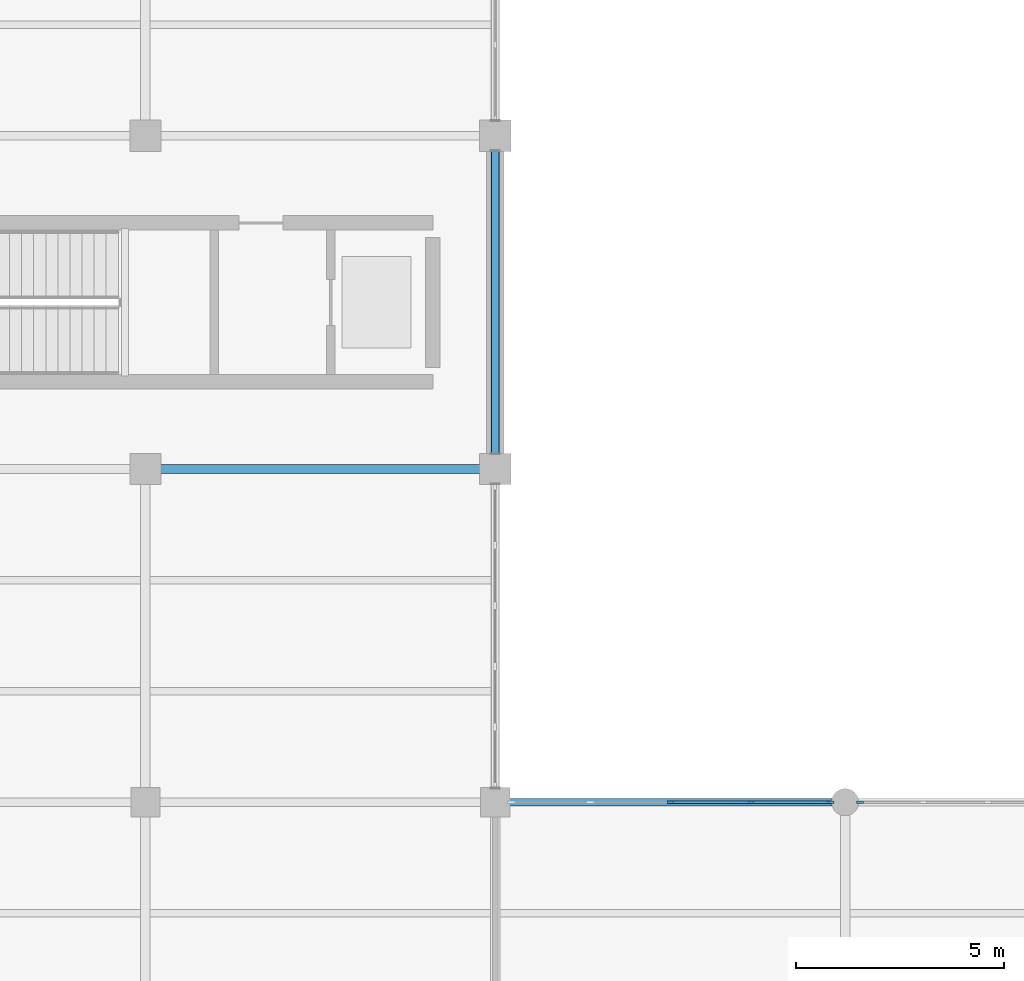
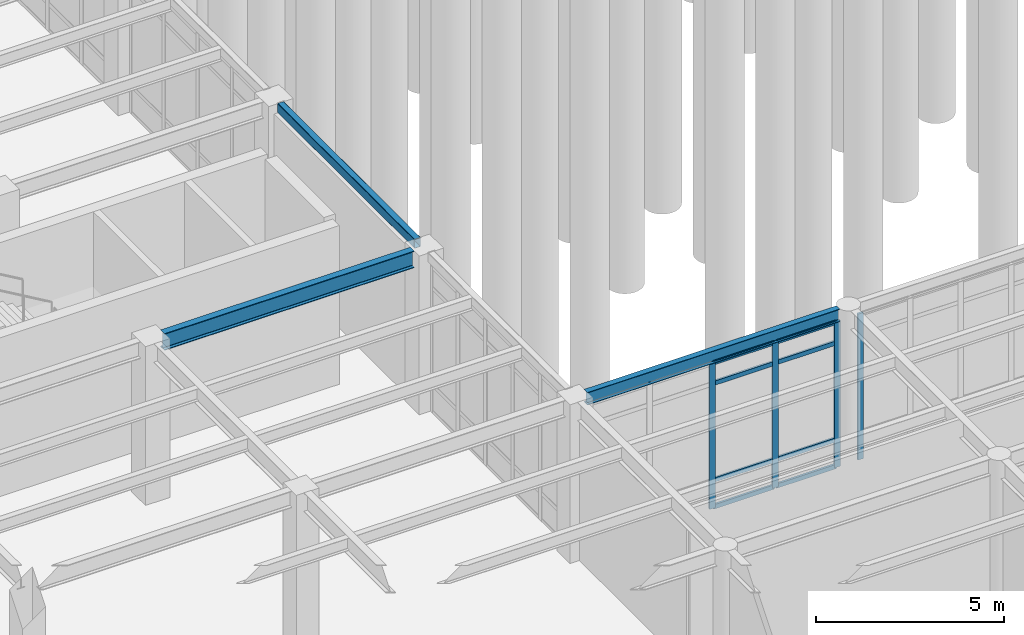
# One storey, part 47 of 138: 12 members, 3 beams, 2 elements without a shape of their own.
"""IFC4 building model written with IfcOpenShell, lengths in metres."""

from ifc_helpers import new_model, si_unit, direction, frame, origin, origin_2d, place, context, subcontext, project, spatial, rectangle, hollow_rectangle, i_section, extrude, material, layer, layer_set, material_profile, profile_set, type_object, element, aggregate, save


model = new_model("IFC4")

# Units and contexts
model_context = context("Model", 3, precision=1e-05, world=origin(), true_north=direction((0.0, 1.0)))
body_context = subcontext(model_context, "Body", "Model", "MODEL_VIEW")
ifc_project = project(units=[si_unit("LENGTHUNIT", "METRE"), si_unit("AREAUNIT", "SQUARE_METRE"), si_unit("VOLUMEUNIT", "CUBIC_METRE"), si_unit("PLANEANGLEUNIT", "RADIAN"), si_unit("MASSUNIT", "GRAM", prefix="KILO")], contexts=[model_context])

# Site, building, storey
site_placement = place(None, origin())
site = spatial("IfcSite", under=ifc_project, at=site_placement, CompositionType="ELEMENT")
building_placement = place(site_placement, origin())
building = spatial("IfcBuilding", under=site, at=building_placement, Name="Kranzveld Transit Interchange", CompositionType="ELEMENT")
storey_placement = place(building_placement, origin())
storey = spatial("IfcBuildingStorey", under=building, at=storey_placement, Name="L00", CompositionType="ELEMENT", Elevation=0.0)

# Curtain wall, member
ifc_material_1 = material(Name="Bronze-anodised thermally broken aluminium", Category="aluminium")
ifc_layer_1 = layer(ifc_material_1, 0.155029296875)
ifc_layer_set_1 = layer_set([ifc_layer_1], Name="Bronze-anodised thermally broken aluminium")
curtain_wall_type_1 = type_object("IfcCurtainWallType", Name="Operations Courtyard Glazed Screen CW-6", PredefinedType="USERDEFINED", material=ifc_layer_set_1)
curtain_wall_1_placement = place(storey_placement, origin())
curtain_wall_1 = element("IfcCurtainWall", 1, at=curtain_wall_1_placement, inside=storey, type_object=curtain_wall_type_1, Name="L00 Curtain Wall 16/J-17/J", ObjectType="CURTAIN WALL", PredefinedType="USERDEFINED")
ifc_material_2 = material(Name="Bronze-anodised thermally broken aluminium", Category="aluminium")
ifc_material_profile_1 = material_profile(ifc_material_2, rectangle(XDim=0.06494140625, YDim=0.1650390625, at=origin_2d()), Name="ALU MULLION 65x165")
ifc_profile_set_1 = profile_set([ifc_material_profile_1], Name="Bronze-anodised thermally broken aluminium")
member_type_1 = type_object("IfcMemberType", Name="Curtain Wall Mullion 65x165 Alu", PredefinedType="MULLION", material=ifc_profile_set_1)
member_1_placement = place(storey_placement, frame((126.357421875, 64.0, 0.0), z_axis=(0.0, 0.0, 1.0), x_axis=(0.0, 1.0, 0.0)))
member_1 = element("IfcMember", 2, at=member_1_placement, type_object=member_type_1, Name="CW-6 mullion 1", PredefinedType="MULLION", context=body_context, shape_type="SweptSolid", body=[
    extrude(rectangle(XDim=0.06494140625, YDim=0.1650390625, at=origin_2d()), origin(), (0.0, 0.0, 1.0), 4.740478515625),
])
aggregate(curtain_wall_1, [member_1])

# Curtain wall, members
ifc_material_3 = material(Name="Bronze-anodised thermally broken aluminium", Category="aluminium")
ifc_layer_2 = layer(ifc_material_3, 0.18505859375)
ifc_layer_set_2 = layer_set([ifc_layer_2], Name="Bronze-anodised thermally broken aluminium")
curtain_wall_type_2 = type_object("IfcCurtainWallType", Name="Control Crown Observation Facade CW-5", PredefinedType="USERDEFINED", material=ifc_layer_set_2)
curtain_wall_2_placement = place(storey_placement, origin())
curtain_wall_2 = element("IfcCurtainWall", 3, at=curtain_wall_2_placement, inside=storey, type_object=curtain_wall_type_2, Name="L00 Curtain Wall 15/J-16/J", ObjectType="CURTAIN WALL", PredefinedType="USERDEFINED")
ifc_material_4 = material(Name="Bronze-anodised thermally broken aluminium", Category="aluminium")
ifc_material_profile_2 = material_profile(ifc_material_4, rectangle(XDim=0.06494140625, YDim=0.179931640625, at=origin_2d()), Name="ALU MULLION 65x180")
ifc_profile_set_2 = profile_set([ifc_material_profile_2], Name="Bronze-anodised thermally broken aluminium")
member_type_2 = type_object("IfcMemberType", Name="Curtain Wall Mullion 65x180 Alu", PredefinedType="MULLION", material=ifc_profile_set_2)
member_2_placement = place(storey_placement, frame((121.8125, 64.0, 0.0), z_axis=(0.0, 0.0, 1.0), x_axis=(0.0, 1.0, 0.0)))
member_2 = element("IfcMember", 4, at=member_2_placement, type_object=member_type_2, Name="CW-5 mullion 3", PredefinedType="MULLION", context=body_context, shape_type="SweptSolid", body=[
    extrude(rectangle(XDim=0.06494140625, YDim=0.179931640625, at=origin_2d()), origin(), (0.0, 0.0, 1.0), 4.740478515625),
])
member_3_placement = place(storey_placement, frame((123.74365234375, 64.0, 0.0), z_axis=(0.0, 0.0, 1.0), x_axis=(0.0, 1.0, 0.0)))
member_3 = element("IfcMember", 5, at=member_3_placement, type_object=member_type_2, Name="CW-5 mullion 4", PredefinedType="MULLION", context=body_context, shape_type="SweptSolid", body=[
    extrude(rectangle(XDim=0.06494140625, YDim=0.179931640625, at=origin_2d()), origin(), (0.0, 0.0, 1.0), 4.740478515625),
])
member_4_placement = place(storey_placement, frame((125.642578125, 64.0, 0.0), z_axis=(0.0, 0.0, 1.0), x_axis=(0.0, 1.0, 0.0)))
member_4 = element("IfcMember", 6, at=member_4_placement, type_object=member_type_2, Name="CW-5 mullion 5", PredefinedType="MULLION", context=body_context, shape_type="SweptSolid", body=[
    extrude(rectangle(XDim=0.06494140625, YDim=0.179931640625, at=origin_2d()), origin(), (0.0, 0.0, 1.0), 4.740478515625),
])
ifc_material_5 = material(Name="Bronze-anodised thermally broken aluminium", Category="aluminium")
ifc_material_profile_3 = material_profile(ifc_material_5, rectangle(XDim=0.06494140625, YDim=0.139892578125, at=origin_2d()), Name="ALU TRANSOM 65x140")
ifc_profile_set_3 = profile_set([ifc_material_profile_3], Name="Bronze-anodised thermally broken aluminium")
member_type_3 = type_object("IfcMemberType", Name="Curtain Wall Transom 65x140 Alu", PredefinedType="USERDEFINED", material=ifc_profile_set_3)
member_5_placement = place(storey_placement, frame((121.844970703125, 64.0, 0.032470703125), z_axis=(1.0, 0.0, 0.0), x_axis=(0.0, 1.0, 0.0)))
member_5 = element("IfcMember", 7, at=member_5_placement, type_object=member_type_3, Name="CW-5 transom 3.1", ObjectType="TRANSOM", PredefinedType="USERDEFINED", context=body_context, shape_type="SweptSolid", body=[
    extrude(rectangle(XDim=0.06494140625, YDim=0.139892578125, at=origin_2d()), origin(), (0.0, 0.0, 1.0), 1.8662109375),
])
member_6_placement = place(storey_placement, frame((121.844970703125, 64.0, 0.89990234375), z_axis=(1.0, 0.0, 0.0), x_axis=(0.0, 1.0, 0.0)))
member_6 = element("IfcMember", 8, at=member_6_placement, type_object=member_type_3, Name="CW-5 transom 3.2", ObjectType="TRANSOM", PredefinedType="USERDEFINED", context=body_context, shape_type="SweptSolid", body=[
    extrude(rectangle(XDim=0.06494140625, YDim=0.139892578125, at=origin_2d()), origin(), (0.0, 0.0, 1.0), 1.8662109375),
])
member_7_placement = place(storey_placement, frame((121.844970703125, 64.0, 4.04052734375), z_axis=(1.0, 0.0, 0.0), x_axis=(0.0, 1.0, 0.0)))
member_7 = element("IfcMember", 9, at=member_7_placement, type_object=member_type_3, Name="CW-5 transom 3.3", ObjectType="TRANSOM", PredefinedType="USERDEFINED", context=body_context, shape_type="SweptSolid", body=[
    extrude(rectangle(XDim=0.06494140625, YDim=0.139892578125, at=origin_2d()), origin(), (0.0, 0.0, 1.0), 1.8662109375),
])
member_8_placement = place(storey_placement, frame((121.844970703125, 64.0, 4.7080078125), z_axis=(1.0, 0.0, 0.0), x_axis=(0.0, 1.0, 0.0)))
member_8 = element("IfcMember", 10, at=member_8_placement, type_object=member_type_3, Name="CW-5 transom 3.4", ObjectType="TRANSOM", PredefinedType="USERDEFINED", context=body_context, shape_type="SweptSolid", body=[
    extrude(rectangle(XDim=0.06494140625, YDim=0.139892578125, at=origin_2d()), origin(), (0.0, 0.0, 1.0), 1.8662109375),
])
member_9_placement = place(storey_placement, frame((123.7763671875, 64.0, 0.032470703125), z_axis=(1.0, 0.0, 0.0), x_axis=(0.0, 1.0, 0.0)))
member_9 = element("IfcMember", 11, at=member_9_placement, type_object=member_type_3, Name="CW-5 transom 4.1", ObjectType="TRANSOM", PredefinedType="USERDEFINED", context=body_context, shape_type="SweptSolid", body=[
    extrude(rectangle(XDim=0.06494140625, YDim=0.139892578125, at=origin_2d()), origin(), (0.0, 0.0, 1.0), 1.833740234375),
])
member_10_placement = place(storey_placement, frame((123.7763671875, 64.0, 0.89990234375), z_axis=(1.0, 0.0, 0.0), x_axis=(0.0, 1.0, 0.0)))
member_10 = element("IfcMember", 12, at=member_10_placement, type_object=member_type_3, Name="CW-5 transom 4.2", ObjectType="TRANSOM", PredefinedType="USERDEFINED", context=body_context, shape_type="SweptSolid", body=[
    extrude(rectangle(XDim=0.06494140625, YDim=0.139892578125, at=origin_2d()), origin(), (0.0, 0.0, 1.0), 1.833740234375),
])
member_11_placement = place(storey_placement, frame((123.7763671875, 64.0, 4.04052734375), z_axis=(1.0, 0.0, 0.0), x_axis=(0.0, 1.0, 0.0)))
member_11 = element("IfcMember", 13, at=member_11_placement, type_object=member_type_3, Name="CW-5 transom 4.3", ObjectType="TRANSOM", PredefinedType="USERDEFINED", context=body_context, shape_type="SweptSolid", body=[
    extrude(rectangle(XDim=0.06494140625, YDim=0.139892578125, at=origin_2d()), origin(), (0.0, 0.0, 1.0), 1.833740234375),
])
member_12_placement = place(storey_placement, frame((123.7763671875, 64.0, 4.7080078125), z_axis=(1.0, 0.0, 0.0), x_axis=(0.0, 1.0, 0.0)))
member_12 = element("IfcMember", 14, at=member_12_placement, type_object=member_type_3, Name="CW-5 transom 4.4", ObjectType="TRANSOM", PredefinedType="USERDEFINED", context=body_context, shape_type="SweptSolid", body=[
    extrude(rectangle(XDim=0.06494140625, YDim=0.139892578125, at=origin_2d()), origin(), (0.0, 0.0, 1.0), 1.833740234375),
])
aggregate(curtain_wall_2, [member_2, member_3, member_4, member_5, member_6, member_7, member_8, member_9, member_10, member_11, member_12])

# Beams
ifc_material_6 = material(Name="Steel S355JR", Category="steel")
ifc_material_profile_4 = material_profile(ifc_material_6, hollow_rectangle(XDim=0.199951171875, YDim=0.300048828125, WallThickness=0.010009765625, InnerFilletRadius=0.014892578125, OuterFilletRadius=0.02490234375, at=origin_2d()), Name="RHS 300x200x10")
ifc_profile_set_4 = profile_set([ifc_material_profile_4], Name="Steel S355JR")
beam_type_1 = type_object("IfcBeamType", Name="Edge Spandrel RHS 300x200x10 S355JR", PredefinedType="SPANDREL", material=ifc_profile_set_4)
beam_1_placement = place(storey_placement, frame((117.60009765625, 72.364990234375, 5.0), z_axis=(0.0, 1.0, 0.0), x_axis=(-1.0, 0.0, 0.0)))
element("IfcBeam", 15, at=beam_1_placement, inside=storey, type_object=beam_type_1, Name="L00 Girder 15/K-L", PredefinedType="SPANDREL", context=body_context, shape_type="SweptSolid", body=[
    extrude(hollow_rectangle(XDim=0.199951171875, YDim=0.300048828125, WallThickness=0.010009765625, InnerFilletRadius=0.014892578125, OuterFilletRadius=0.02490234375, at=origin_2d()), origin(), (0.0, 0.0, 1.0), 7.27001953125),
])
ifc_material_7 = material(Name="Steel S355JR", Category="steel")
ifc_material_profile_5 = material_profile(ifc_material_7, i_section(OverallWidth=0.1787109375, OverallDepth=0.409423828125, WebThickness=0.0087890625, FlangeThickness=0.014404296875, FilletRadius=0.01025390625, at=origin_2d()), Name="UB 406x178x67")
ifc_profile_set_5 = profile_set([ifc_material_profile_5], Name="Steel S355JR")
beam_type_2 = type_object("IfcBeamType", Name="Facade Spandrel UB 406x178x67 S355JR", PredefinedType="SPANDREL", material=ifc_profile_set_5)
beam_2_placement = place(storey_placement, frame((117.93994140625, 64.0, 4.9453125), z_axis=(1.0, 0.0, 0.0), x_axis=(0.0, 1.0, 0.0)))
element("IfcBeam", 16, at=beam_2_placement, inside=storey, type_object=beam_type_2, Name="L00 Girder 15-16/J", PredefinedType="SPANDREL", context=body_context, shape_type="SweptSolid", body=[
    extrude(i_section(OverallWidth=0.1787109375, OverallDepth=0.409423828125, WebThickness=0.0087890625, FlangeThickness=0.014404296875, FilletRadius=0.01025390625, at=origin_2d()), origin(), (0.0, 0.0, 1.0), 7.7451171875),
])
ifc_material_8 = material(Name="Steel S355JR", Category="steel")
ifc_material_profile_6 = material_profile(ifc_material_8, i_section(OverallWidth=0.2119140625, OverallDepth=0.54443359375, WebThickness=0.0126953125, FlangeThickness=0.021240234375, FilletRadius=0.0126953125, at=origin_2d()), Name="UB 533x210x122")
ifc_profile_set_6 = profile_set([ifc_material_profile_6], Name="Steel S355JR")
beam_type_3 = type_object("IfcBeamType", Name="Girder Steel UB 533x210x122 S355JR", PredefinedType="BEAM", material=ifc_profile_set_6)
beam_3_placement = place(storey_placement, frame((109.56494140625, 72.0, 4.877685546875), z_axis=(1.0, 0.0, 0.0), x_axis=(0.0, 1.0, 0.0)))
element("IfcBeam", 17, at=beam_3_placement, inside=storey, type_object=beam_type_3, Name="L00 Girder 14-15/K", PredefinedType="BEAM", context=body_context, shape_type="SweptSolid", body=[
    extrude(i_section(OverallWidth=0.2119140625, OverallDepth=0.54443359375, WebThickness=0.0126953125, FlangeThickness=0.021240234375, FilletRadius=0.0126953125, at=origin_2d()), origin(), (0.0, 0.0, 1.0), 7.670166015625),
])

save(model, "model.ifc")
